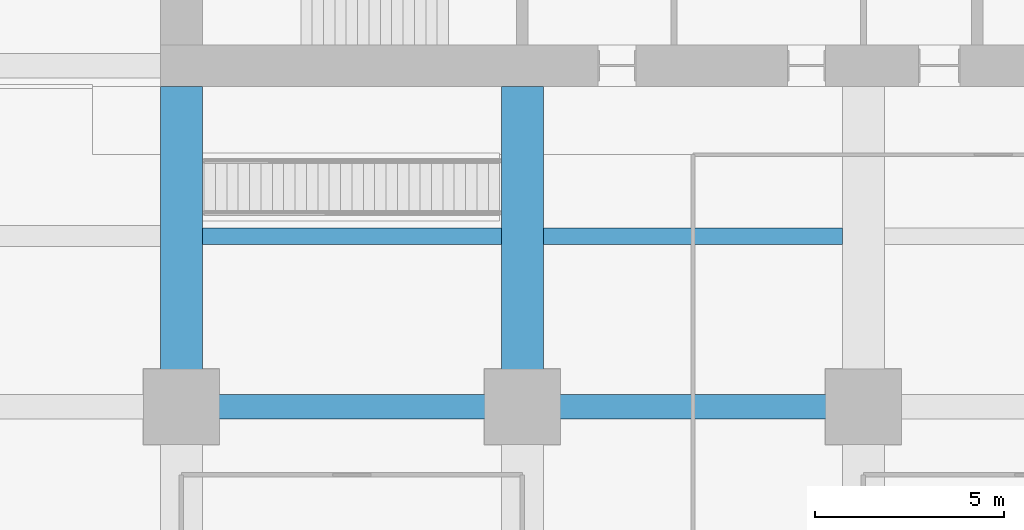
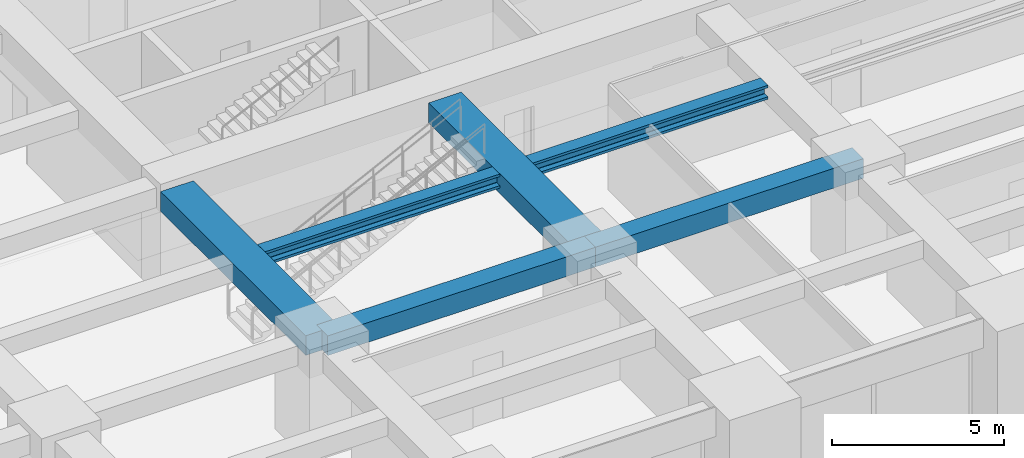
# One storey, part 8 of 39: 6 beams.
"""IFC4 building model written with IfcOpenShell, lengths in metres."""

from ifc_helpers import new_model, si_unit, direction, frame, origin, origin_2d, place, context, subcontext, project, spatial, rectangle, i_section, extrude, material, material_profile, profile_set, type_object, element, save


model = new_model("IFC4")

# Units and contexts
model_context = context("Model", 3, precision=1e-05, world=origin(), true_north=direction((0.0, 1.0)))
body_context = subcontext(model_context, "Body", "Model", "MODEL_VIEW")
ifc_project = project(units=[si_unit("LENGTHUNIT", "METRE"), si_unit("AREAUNIT", "SQUARE_METRE"), si_unit("VOLUMEUNIT", "CUBIC_METRE"), si_unit("PLANEANGLEUNIT", "RADIAN"), si_unit("MASSUNIT", "GRAM", prefix="KILO")], contexts=[model_context])

# Site, building, storey
site_placement = place(None, origin())
site = spatial("IfcSite", under=ifc_project, at=site_placement, CompositionType="ELEMENT")
building_placement = place(site_placement, origin())
building = spatial("IfcBuilding", under=site, at=building_placement, Name="Zorevar Civic Tower", CompositionType="ELEMENT")
storey_placement = place(building_placement, frame((0.0, 0.0, 117.0)))
storey = spatial("IfcBuildingStorey", under=building, at=storey_placement, Name="L28", CompositionType="ELEMENT", Elevation=117.0)

# Beams
ifc_material_1 = material(Name="Concrete C50/60", Category="concrete")
ifc_material_profile_1 = material_profile(ifc_material_1, rectangle(XDim=1.10009765625, YDim=0.699951171875, at=origin_2d()), Name="RC 1100x700")
ifc_profile_set_1 = profile_set([ifc_material_profile_1], Name="Concrete C50/60")
beam_type_1 = type_object("IfcBeamType", Name="Beam RC 1100x700", PredefinedType="BEAM", material=ifc_profile_set_1)
for number, where, z_axis, x_axis, name in (
    (1, (18.0, 9.0, 3.39990234375), (0.0, 1.0, 0.0), (-1.0, 0.0, 0.0), "Girder L29"),
    (2, (27.0, 9.0, 3.39990234375), (0.0, 1.0, 0.0), (-1.0, 0.0, 0.0), "Girder L29"),
):
    element("IfcBeam", number, at=place(storey_placement, frame(where, z_axis=z_axis, x_axis=x_axis)), inside=storey, type_object=beam_type_1, Name=name, PredefinedType="BEAM", context=body_context, shape_type="SweptSolid", body=[
        extrude(rectangle(XDim=1.10009765625, YDim=0.699951171875, at=origin_2d()), origin(), (0.0, 0.0, 1.0), 8.449951171875),
    ])
ifc_material_2 = material(Name="Concrete C50/60", Category="concrete")
ifc_material_profile_2 = material_profile(ifc_material_2, rectangle(XDim=0.64990234375, YDim=0.699951171875, at=origin_2d()), Name="RC 650x700")
ifc_profile_set_2 = profile_set([ifc_material_profile_2], Name="Concrete C50/60")
beam_type_2 = type_object("IfcBeamType", Name="Beam RC 650x700", PredefinedType="BEAM", material=ifc_profile_set_2)
for number, where, z_axis, x_axis, name in (
    (3, (18.0, 9.0, 3.39990234375), (1.0, 0.0, 0.0), (0.0, 1.0, 0.0), "Girder L29"),
    (4, (27.0, 9.0, 3.39990234375), (1.0, 0.0, 0.0), (0.0, 1.0, 0.0), "Girder L29"),
):
    element("IfcBeam", number, at=place(storey_placement, frame(where, z_axis=z_axis, x_axis=x_axis)), inside=storey, type_object=beam_type_2, Name=name, PredefinedType="BEAM", context=body_context, shape_type="SweptSolid", body=[
        extrude(rectangle(XDim=0.64990234375, YDim=0.699951171875, at=origin_2d()), origin(), (0.0, 0.0, 1.0), 9.0),
    ])
ifc_material_3 = material(Name="Steel S460M (HISTAR 460)", Category="steel")
ifc_material_profile_3 = material_profile(ifc_material_3, i_section(OverallWidth=0.431884765625, OverallDepth=0.498046875, WebThickness=0.0556640625, FlangeThickness=0.0888671875, FilletRadius=0.014892578125, at=origin_2d()), Name="HD 400x744")
ifc_profile_set_3 = profile_set([ifc_material_profile_3], Name="Steel S460M (HISTAR 460)")
beam_type_3 = type_object("IfcBeamType", Name="Core bay beam HD 400x744", PredefinedType="BEAM", material=ifc_profile_set_3)
for number, where, z_axis, x_axis, name in (
    (5, (18.550048828125, 13.5, 3.5009765625), (1.0, 0.0, 0.0), (0.0, 1.0, 0.0), "Secondary beam L29"),
    (6, (27.550048828125, 13.5, 3.5009765625), (1.0, 0.0, 0.0), (0.0, 1.0, 0.0), "Secondary beam L29"),
):
    element("IfcBeam", number, at=place(storey_placement, frame(where, z_axis=z_axis, x_axis=x_axis)), inside=storey, type_object=beam_type_3, Name=name, PredefinedType="BEAM", context=body_context, shape_type="SweptSolid", body=[
        extrude(i_section(OverallWidth=0.431884765625, OverallDepth=0.498046875, WebThickness=0.0556640625, FlangeThickness=0.0888671875, FilletRadius=0.014892578125, at=origin_2d()), origin(), (0.0, 0.0, 1.0), 7.89990234375),
    ])

save(model, "model.ifc")
